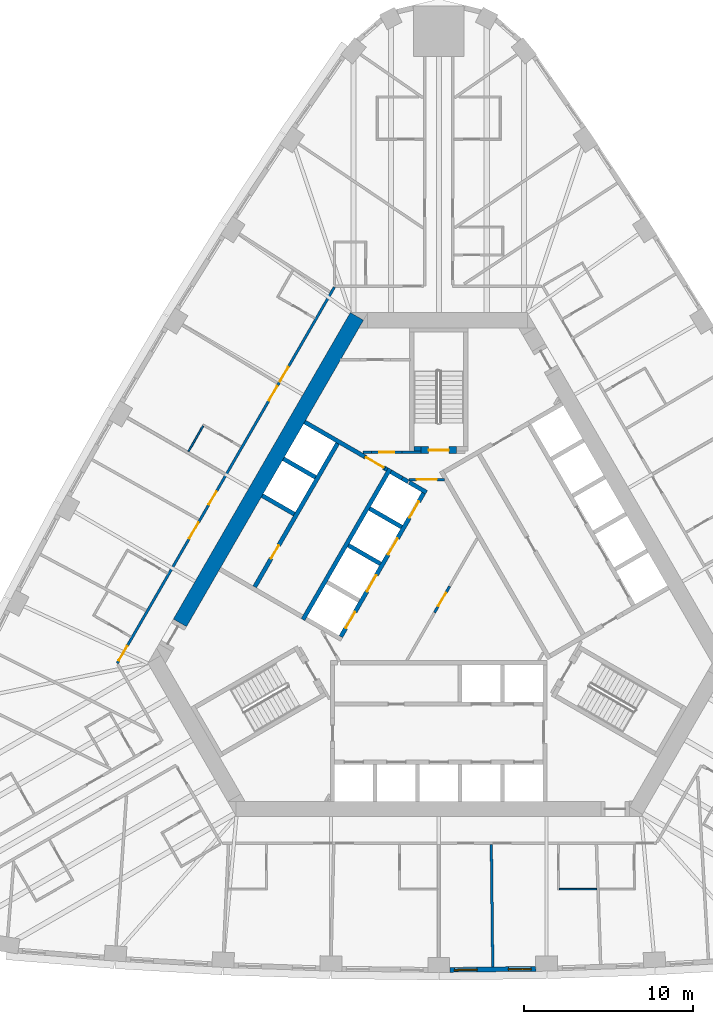
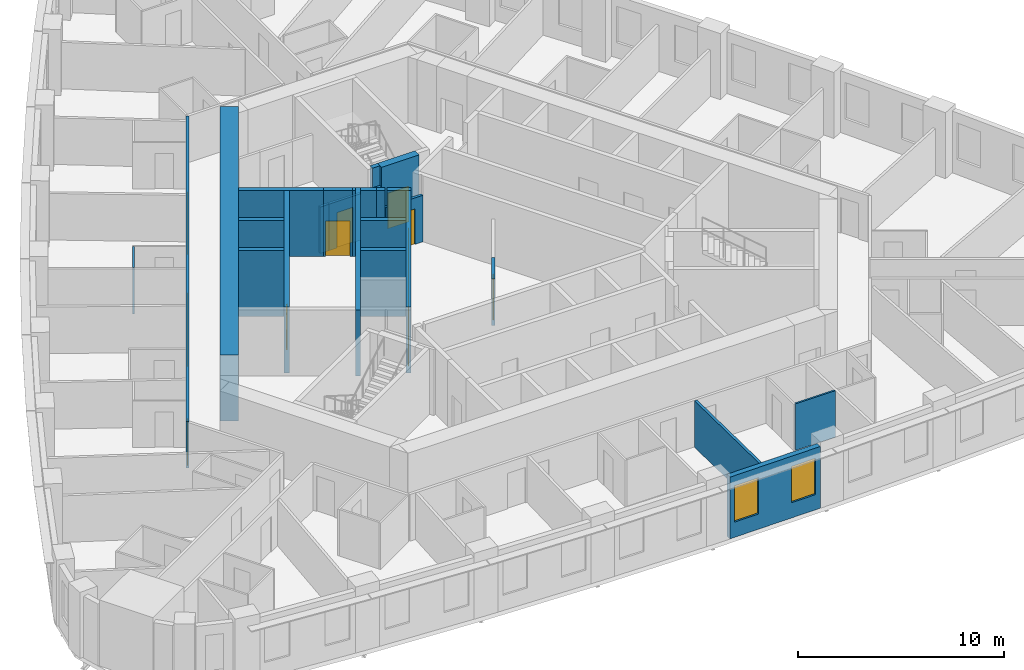
# One storey, part 6 of 13: 26 walls, 15 doors, 2 windows, 17 openings.
"""IFC4 building model written with IfcOpenShell, lengths in metres."""

from ifc_helpers import new_model, si_unit, direction, frame, frame_2d, origin, place, context, subcontext, project, spatial, polyline, rectangle, outline, extrude, material, layer, layer_set, type_object, element, fill, save


model = new_model("IFC4")

# Units and contexts
model_context = context("Model", 3, precision=1e-05, world=origin(), true_north=direction((0.0, 1.0)))
body_context = subcontext(model_context, "Body", "Model", "MODEL_VIEW")
ifc_project = project(units=[si_unit("LENGTHUNIT", "METRE"), si_unit("AREAUNIT", "SQUARE_METRE"), si_unit("VOLUMEUNIT", "CUBIC_METRE"), si_unit("PLANEANGLEUNIT", "RADIAN"), si_unit("MASSUNIT", "GRAM", prefix="KILO")], contexts=[model_context])

# Site, building, storey
site_placement = place(None, origin())
site = spatial("IfcSite", under=ifc_project, at=site_placement, CompositionType="ELEMENT")
building_placement = place(site_placement, origin())
building = spatial("IfcBuilding", under=site, at=building_placement, Name="Mestral Congress Tower", CompositionType="ELEMENT")
storey_placement = place(building_placement, frame((0.0, 0.0, 83.699951171875)))
storey = spatial("IfcBuildingStorey", under=building, at=storey_placement, Name="L19", CompositionType="ELEMENT", Elevation=83.699951171875)

# Walls
ifc_material_1 = material(Name="Fire-rated board partition")
ifc_layer_1 = layer(ifc_material_1, 0.14990234375)
ifc_layer_set_1 = layer_set([ifc_layer_1], Name="Fire-rated board partition")
wall_type_1 = type_object("IfcWallType", Name="Core partition 150", PredefinedType="PARTITIONING", material=ifc_layer_set_1)
wall_1_placement = place(storey_placement, frame((-3.99658203125, 8.625244140625, 0.0), z_axis=(0.0, 0.0, 1.0), x_axis=(-1.0, 0.0, 0.0)))
element("IfcWall", 1, at=wall_1_placement, inside=storey, type_object=wall_type_1, Name="L19 core wall", PredefinedType="PARTITIONING", context=body_context, shape_type="SweptSolid", body=[
    extrude(rectangle(XDim=0.502197265625, YDim=0.14990234375, at=frame_2d((0.2509765625, 0.0))), origin(), (0.0, 0.0, 1.0), 2.75),
])
wall_2_placement = place(storey_placement, frame((-2.1962890625, 8.62548828125, 0.0), z_axis=(0.0, 0.0, 1.0), x_axis=(1.0, 0.0, 0.0)))
element("IfcWall", 2, at=wall_2_placement, inside=storey, type_object=wall_type_1, Name="L19 core wall", PredefinedType="PARTITIONING", context=body_context, shape_type="SweptSolid", body=[
    extrude(rectangle(XDim=1.146240234375, YDim=0.14990234375, at=frame_2d((0.5732421875, 0.0))), origin(), (0.0, 0.0, 1.0), 2.75),
])

# Wall, opening, door
wall_3_placement = place(storey_placement, frame((-2.1962890625, 8.625, 0.0), z_axis=(0.0, 0.0, 1.0), x_axis=(-1.0, 0.0, 0.0)))
wall_3 = element("IfcWall", 3, at=wall_3_placement, inside=storey, type_object=wall_type_1, Name="L19 door wall", PredefinedType="PARTITIONING", context=body_context, shape_type="SweptSolid", body=[
    extrude(rectangle(XDim=1.800048828125, YDim=0.14990234375, at=frame_2d((0.89990234375, 0.0))), origin(), (0.0, 0.0, 1.0), 2.75),
])
opening_1_placement = place(wall_3_placement, frame((0.449951171875, 0.0, 0.0)))
opening_1 = element("IfcOpeningElement", 4, at=opening_1_placement, cuts=wall_3, Name="Opening TD2", PredefinedType="OPENING", context=body_context, shape_type="SweptSolid", body=[
    extrude(rectangle(XDim=0.89990234375, YDim=2.10009765625, at=frame_2d((0.449951171875, 1.050048828125))), frame((0.0, 0.0849609375, 0.0), z_axis=(0.0, -1.0, 0.0), x_axis=(1.0, 0.0, 0.0)), (0.0, 0.0, 1.0), 0.169921875),
])
ifc_material_2 = material(Name="Fire-rated steel door set", Category="steel")
door_type_1 = type_object("IfcDoorType", Name="Core door SR 900x2100", OperationType="SINGLE_SWING_LEFT", PredefinedType="DOOR", material=ifc_material_2)
door_1_placement = place(opening_1_placement, origin())
door_1 = element("IfcDoor", 5, at=door_1_placement, inside=storey, type_object=door_type_1, Name="Door TD2", OperationType="SINGLE_SWING_LEFT", OverallHeight=2.10009765625, OverallWidth=0.89990234375, PredefinedType="DOOR", context=body_context, shape_type="SweptSolid", body=[
    extrude(rectangle(XDim=0.89990234375, YDim=2.10009765625, at=frame_2d((0.449951171875, 1.050048828125))), frame((0.0, 0.02490234375, 0.0), z_axis=(0.0, -1.0, 0.0), x_axis=(1.0, 0.0, 0.0)), (0.0, 0.0, 1.0), 0.050048828125),
])
fill(opening_1, door_1)

wall_4_placement = place(storey_placement, frame((-1.765380859375, 7.0, 0.0), z_axis=(0.0, 0.0, 1.0), x_axis=(1.0, 0.0, 0.0)))
wall_4 = element("IfcWall", 6, at=wall_4_placement, inside=storey, type_object=wall_type_1, Name="L19 door wall", PredefinedType="PARTITIONING", context=body_context, shape_type="SweptSolid", body=[
    extrude(rectangle(XDim=2.10009765625, YDim=0.14990234375, at=frame_2d((1.050048828125, 0.0))), origin(), (0.0, 0.0, 1.0), 2.75),
])
opening_2_placement = place(wall_4_placement, frame((0.449951171875, 0.0, 0.0)))
opening_2 = element("IfcOpeningElement", 7, at=opening_2_placement, cuts=wall_4, Name="Opening CD2-FF", PredefinedType="OPENING", context=body_context, shape_type="SweptSolid", body=[
    extrude(rectangle(XDim=1.199951171875, YDim=2.10009765625, at=frame_2d((0.60009765625, 1.050048828125))), frame((0.0, 0.0849609375, 0.0), z_axis=(0.0, -1.0, 0.0), x_axis=(1.0, 0.0, 0.0)), (0.0, 0.0, 1.0), 0.169921875),
])
door_type_2 = type_object("IfcDoorType", Name="Core door CD 1200x2100", OperationType="SINGLE_SWING_LEFT", PredefinedType="DOOR", material=ifc_material_2)
door_2_placement = place(opening_2_placement, origin())
door_2 = element("IfcDoor", 8, at=door_2_placement, inside=storey, type_object=door_type_2, Name="Door CD2-FF", OperationType="SINGLE_SWING_LEFT", OverallHeight=2.10009765625, OverallWidth=1.199951171875, PredefinedType="DOOR", context=body_context, shape_type="SweptSolid", body=[
    extrude(rectangle(XDim=1.199951171875, YDim=2.10009765625, at=frame_2d((0.60009765625, 1.050048828125))), frame((0.0, 0.02490234375, 0.0), z_axis=(0.0, -1.0, 0.0), x_axis=(1.0, 0.0, 0.0)), (0.0, 0.0, 1.0), 0.050048828125),
])
fill(opening_2, door_2)

wall_5_placement = place(storey_placement, frame((-0.255126953125, -0.891845703125, 0.0), z_axis=(0.0, 0.0, 1.0), x_axis=(0.500062916607, 0.865989075817, 0.0)))
wall_5 = element("IfcWall", 9, at=wall_5_placement, inside=storey, type_object=wall_type_1, Name="L19 door wall", PredefinedType="PARTITIONING", context=body_context, shape_type="SweptSolid", body=[
    extrude(rectangle(XDim=1.800048828125, YDim=0.14990234375, at=frame_2d((0.89990234375, 0.0))), origin(), (0.0, 0.0, 1.0), 2.75),
])
opening_3_placement = place(wall_5_placement, frame((0.449951171875, 0.0, 0.0)))
opening_3 = element("IfcOpeningElement", 10, at=opening_3_placement, cuts=wall_5, Name="Opening SD-HUB0", PredefinedType="OPENING", context=body_context, shape_type="SweptSolid", body=[
    extrude(rectangle(XDim=0.89990234375, YDim=2.10009765625, at=frame_2d((0.449951171875, 1.050048828125))), frame((0.0, 0.0849609375, 0.0), z_axis=(0.0, -1.0, 0.0), x_axis=(1.0, 0.0, 0.0)), (0.0, 0.0, 1.0), 0.169921875),
])
door_3_placement = place(opening_3_placement, origin())
door_3 = element("IfcDoor", 11, at=door_3_placement, inside=storey, type_object=door_type_1, Name="Door SD-HUB0", OperationType="SINGLE_SWING_LEFT", OverallHeight=2.10009765625, OverallWidth=0.89990234375, PredefinedType="DOOR", context=body_context, shape_type="SweptSolid", body=[
    extrude(rectangle(XDim=0.89990234375, YDim=2.10009765625, at=frame_2d((0.449951171875, 1.050048828125))), frame((0.0, 0.02490234375, 0.0), z_axis=(0.0, -1.0, 0.0), x_axis=(1.0, 0.0, 0.0)), (0.0, 0.0, 1.0), 0.050048828125),
])
fill(opening_3, door_3)

# Wall
ifc_material_3 = material(Name="Concrete C60/75", Category="concrete")
ifc_layer_2 = layer(ifc_material_3, 0.89990234375)
ifc_layer_set_2 = layer_set([ifc_layer_2], Name="Concrete C60/75")
wall_type_2 = type_object("IfcWallType", Name="Core wall RC 900", PredefinedType="SOLIDWALL", material=ifc_layer_set_2)
wall_6_placement = place(storey_placement, frame((-15.359619140625, -1.50341796875, 0.0), z_axis=(0.0, 0.0, 1.0), x_axis=(0.50000389221, 0.866023156604, 0.0)))
element("IfcWall", 12, at=wall_6_placement, inside=storey, type_object=wall_type_2, Name="L19 core wall", PredefinedType="SOLIDWALL", context=body_context, shape_type="SweptSolid", body=[
    extrude(rectangle(XDim=21.000244140625, YDim=0.89990234375, at=frame_2d((10.5, 0.0))), origin(), (0.0, 0.0, 1.0), 3.900146484375),
])

# Wall, openings, windows
ifc_material_4 = material(Name="Precast concrete C40/50 with limestone facing", Category="masonry")
ifc_layer_3 = layer(ifc_material_4, 0.2900390625)
ifc_layer_set_3 = layer_set([ifc_layer_3], Name="Precast concrete C40/50 with limestone facing")
wall_type_3 = type_object("IfcWallType", Name="Facade stone wall 290", PredefinedType="SOLIDWALL", material=ifc_layer_set_3)
wall_7_placement = place(storey_placement, frame((0.6533203125, -22.091064453125, 0.0), z_axis=(0.0, 0.0, 1.0), x_axis=(0.999931786565, 0.011679992145, 0.0)))
wall_7 = element("IfcWall", 13, at=wall_7_placement, inside=storey, type_object=wall_type_3, Name="Facade wall F0-04", PredefinedType="SOLIDWALL", context=body_context, shape_type="SweptSolid", body=[
    extrude(rectangle(XDim=5.10009765625, YDim=0.2900390625, at=frame_2d((2.550048828125, 0.0))), origin(), (0.0, 0.0, 1.0), 3.650146484375),
])
opening_4_placement = place(wall_7_placement, frame((0.272705078125, 0.0, 0.89990234375)))
opening_4 = element("IfcOpeningElement", 14, at=opening_4_placement, cuts=wall_7, Name="Opening W2", PredefinedType="OPENING", context=body_context, shape_type="SweptSolid", body=[
    extrude(rectangle(XDim=1.35009765625, YDim=2.14990234375, at=frame_2d((0.675048828125, 1.074951171875))), frame((0.0, 0.155029296875, 0.0), z_axis=(0.0, -1.0, 0.0), x_axis=(1.0, 0.0, 0.0)), (0.0, 0.0, 1.0), 0.31005859375),
])
opening_5_placement = place(wall_7_placement, frame((3.477783203125, 0.0, 0.89990234375)))
opening_5 = element("IfcOpeningElement", 15, at=opening_5_placement, cuts=wall_7, Name="Opening W2", PredefinedType="OPENING", context=body_context, shape_type="SweptSolid", body=[
    extrude(rectangle(XDim=1.35009765625, YDim=2.14990234375, at=frame_2d((0.675048828125, 1.074951171875))), frame((0.0, 0.155029296875, 0.0), z_axis=(0.0, -1.0, 0.0), x_axis=(1.0, 0.0, 0.0)), (0.0, 0.0, 1.0), 0.31005859375),
])
ifc_material_5 = material(Name="Clear low-emissivity double glazing", Category="glass")
window_type = type_object("IfcWindowType", Name="Facade punched window 1350 x 2150 sill 900", PartitioningType="DOUBLE_PANEL_VERTICAL", PredefinedType="WINDOW", material=ifc_material_5)
window_1_placement = place(opening_4_placement, origin())
window_1 = element("IfcWindow", 16, at=window_1_placement, inside=storey, type_object=window_type, Name="Window F0-04a", OverallHeight=2.14990234375, OverallWidth=1.35009765625, PartitioningType="DOUBLE_PANEL_VERTICAL", PredefinedType="WINDOW", context=body_context, shape_type="SweptSolid", body=[
    extrude(rectangle(XDim=1.35009765625, YDim=2.14990234375, at=frame_2d((0.675048828125, 1.074951171875))), frame((0.0, 0.01513671875, 0.0), z_axis=(0.0, -1.0, 0.0), x_axis=(1.0, 0.0, 0.0)), (0.0, 0.0, 1.0), 0.06005859375),
])
fill(opening_4, window_1)
window_2_placement = place(opening_5_placement, origin())
window_2 = element("IfcWindow", 17, at=window_2_placement, inside=storey, type_object=window_type, Name="Window F0-04b", OverallHeight=2.14990234375, OverallWidth=1.35009765625, PartitioningType="DOUBLE_PANEL_VERTICAL", PredefinedType="WINDOW", context=body_context, shape_type="SweptSolid", body=[
    extrude(rectangle(XDim=1.35009765625, YDim=2.14990234375, at=frame_2d((0.675048828125, 1.074951171875))), frame((0.0, 0.01513671875, 0.0), z_axis=(0.0, -1.0, 0.0), x_axis=(1.0, 0.0, 0.0)), (0.0, 0.0, 1.0), 0.06005859375),
])
fill(opening_5, window_2)

# Walls
ifc_material_6 = material(Name="Gypsum board partition on metal studs with mineral wool", Category="composite")
ifc_layer_4 = layer(ifc_material_6, 0.10009765625)
ifc_layer_set_4 = layer_set([ifc_layer_4], Name="Gypsum board partition on metal studs with mineral wool")
wall_type_4 = type_object("IfcWallType", Name="Hotel partition wall 100", PredefinedType="PARTITIONING", material=ifc_layer_set_4)
wall_8_placement = place(storey_placement, frame((7.150390625, -17.300048828125, 0.0), z_axis=(0.0, 0.0, 1.0), x_axis=(1.0, 0.0, 0.0)))
element("IfcWall", 18, at=wall_8_placement, inside=storey, type_object=wall_type_4, Name="L19-h-pod06b", PredefinedType="PARTITIONING", context=body_context, shape_type="SweptSolid", body=[
    extrude(rectangle(XDim=2.219970703125, YDim=0.10009765625, at=frame_2d((1.10986328125, 0.0))), origin(), (0.0, 0.0, 1.0), 2.75),
])
wall_9_placement = place(storey_placement, frame((-13.982666015625, 10.18115234375, 0.0), z_axis=(0.0, 0.0, 1.0), x_axis=(-0.499980071345, -0.866036909293, 0.0)))
element("IfcWall", 19, at=wall_9_placement, inside=storey, type_object=wall_type_4, Name="L19-h-pod22b", PredefinedType="PARTITIONING", context=body_context, shape_type="SweptSolid", body=[
    extrude(rectangle(XDim=1.75, YDim=0.10009765625, at=frame_2d((0.875, 0.0))), origin(), (0.0, 0.0, 1.0), 2.75),
])

# Wall, openings, doors
ifc_layer_5 = layer(ifc_material_6, 0.14990234375)
ifc_layer_set_5 = layer_set([ifc_layer_5], Name="Gypsum board partition on metal studs with mineral wool")
wall_type_5 = type_object("IfcWallType", Name="Hotel partition wall 150", PredefinedType="PARTITIONING", material=ifc_layer_set_5)
wall_10_placement = place(storey_placement, frame((-19.081298828125, -3.89990234375, 0.0), z_axis=(0.0, 0.0, 1.0), x_axis=(0.499998313975, 0.866026377209, 0.0)))
wall_10 = element("IfcWall", 20, at=wall_10_placement, inside=storey, type_object=wall_type_5, Name="L19-h-cw08", PredefinedType="PARTITIONING", context=body_context, shape_type="SweptSolid", body=[
    extrude(rectangle(XDim=25.76611328125, YDim=0.14990234375, at=frame_2d((12.883056640625, 0.0))), origin(), (0.0, 0.0, 1.0), 2.75),
])
opening_6_placement = place(wall_10_placement, frame((19.30615234375, 0.0, 0.0)))
opening_6 = element("IfcOpeningElement", 21, at=opening_6_placement, cuts=wall_10, Name="Opening H06-039", PredefinedType="OPENING", context=body_context, shape_type="SweptSolid", body=[
    extrude(rectangle(XDim=1.0, YDim=2.10009765625, at=frame_2d((0.5, 1.050048828125))), frame((0.0, 0.0849609375, 0.0), z_axis=(0.0, -1.0, 0.0), x_axis=(1.0, 0.0, 0.0)), (0.0, 0.0, 1.0), 0.169921875),
])
opening_7_placement = place(wall_10_placement, frame((17.99951171875, 0.0, 0.0)))
opening_7 = element("IfcOpeningElement", 22, at=opening_7_placement, cuts=wall_10, Name="Opening H06-041", PredefinedType="OPENING", context=body_context, shape_type="SweptSolid", body=[
    extrude(rectangle(XDim=1.0, YDim=2.10009765625, at=frame_2d((0.5, 1.050048828125))), frame((0.0, 0.0849609375, 0.0), z_axis=(0.0, -1.0, 0.0), x_axis=(1.0, 0.0, 0.0)), (0.0, 0.0, 1.0), 0.169921875),
])
opening_8_placement = place(wall_10_placement, frame((10.874267578125, 0.0, 0.0)))
opening_8 = element("IfcOpeningElement", 23, at=opening_8_placement, cuts=wall_10, Name="Opening H06-043", PredefinedType="OPENING", context=body_context, shape_type="SweptSolid", body=[
    extrude(rectangle(XDim=0.89990234375, YDim=2.10009765625, at=frame_2d((0.449951171875, 1.050048828125))), frame((0.0, 0.0849609375, 0.0), z_axis=(0.0, -1.0, 0.0), x_axis=(1.0, 0.0, 0.0)), (0.0, 0.0, 1.0), 0.169921875),
])
opening_9_placement = place(wall_10_placement, frame((8.547607421875, 0.0, 0.0)))
opening_9 = element("IfcOpeningElement", 24, at=opening_9_placement, cuts=wall_10, Name="Opening H06-044", PredefinedType="OPENING", context=body_context, shape_type="SweptSolid", body=[
    extrude(rectangle(XDim=1.10009765625, YDim=2.10009765625, at=frame_2d((0.550048828125, 1.050048828125))), frame((0.0, 0.0849609375, 0.0), z_axis=(0.0, -1.0, 0.0), x_axis=(1.0, 0.0, 0.0)), (0.0, 0.0, 1.0), 0.169921875),
])
opening_10_placement = place(wall_10_placement, frame((0.179931640625, 0.0, 0.0)))
opening_10 = element("IfcOpeningElement", 25, at=opening_10_placement, cuts=wall_10, Name="Opening H06-046", PredefinedType="OPENING", context=body_context, shape_type="SweptSolid", body=[
    extrude(rectangle(XDim=1.0, YDim=2.10009765625, at=frame_2d((0.5, 1.050048828125))), frame((0.0, 0.0849609375, 0.0), z_axis=(0.0, -1.0, 0.0), x_axis=(1.0, 0.0, 0.0)), (0.0, 0.0, 1.0), 0.169921875),
])
ifc_material_7 = material(Name="Timber veneer door leaf in metal frame", Category="wood")
door_type_3 = type_object("IfcDoorType", Name="Accessible room entrance door 1100", OperationType="SINGLE_SWING_LEFT", PredefinedType="DOOR", material=ifc_material_7)
door_4_placement = place(opening_9_placement, origin())
door_4 = element("IfcDoor", 26, at=door_4_placement, inside=storey, type_object=door_type_3, Name="L19-h-d044", OperationType="SINGLE_SWING_RIGHT", OverallHeight=2.10009765625, OverallWidth=1.10009765625, PredefinedType="DOOR", context=body_context, shape_type="SweptSolid", body=[
    extrude(rectangle(XDim=1.10009765625, YDim=2.10009765625, at=frame_2d((0.550048828125, 1.050048828125))), frame((0.0, 0.02490234375, 0.0), z_axis=(0.0, -1.0, 0.0), x_axis=(1.0, 0.0, 0.0)), (0.0, 0.0, 1.0), 0.050048828125),
])
fill(opening_9, door_4)
door_type_4 = type_object("IfcDoorType", Name="Guest room entrance door 1000", OperationType="SINGLE_SWING_LEFT", PredefinedType="DOOR", material=ifc_material_7)
door_5_placement = place(opening_6_placement, origin())
door_5 = element("IfcDoor", 27, at=door_5_placement, inside=storey, type_object=door_type_4, Name="L19-h-d039", OperationType="SINGLE_SWING_LEFT", OverallHeight=2.10009765625, OverallWidth=1.0, PredefinedType="DOOR", context=body_context, shape_type="SweptSolid", body=[
    extrude(rectangle(XDim=1.0, YDim=2.10009765625, at=frame_2d((0.5, 1.050048828125))), frame((0.0, 0.02490234375, 0.0), z_axis=(0.0, -1.0, 0.0), x_axis=(1.0, 0.0, 0.0)), (0.0, 0.0, 1.0), 0.050048828125),
])
fill(opening_6, door_5)
door_6_placement = place(opening_7_placement, origin())
door_6 = element("IfcDoor", 28, at=door_6_placement, inside=storey, type_object=door_type_4, Name="L19-h-d041", OperationType="SINGLE_SWING_RIGHT", OverallHeight=2.10009765625, OverallWidth=1.0, PredefinedType="DOOR", context=body_context, shape_type="SweptSolid", body=[
    extrude(rectangle(XDim=1.0, YDim=2.10009765625, at=frame_2d((0.5, 1.050048828125))), frame((0.0, 0.02490234375, 0.0), z_axis=(0.0, -1.0, 0.0), x_axis=(1.0, 0.0, 0.0)), (0.0, 0.0, 1.0), 0.050048828125),
])
fill(opening_7, door_6)
door_7_placement = place(opening_10_placement, origin())
door_7 = element("IfcDoor", 29, at=door_7_placement, inside=storey, type_object=door_type_4, Name="L19-h-d046", OperationType="SINGLE_SWING_LEFT", OverallHeight=2.10009765625, OverallWidth=1.0, PredefinedType="DOOR", context=body_context, shape_type="SweptSolid", body=[
    extrude(rectangle(XDim=1.0, YDim=2.10009765625, at=frame_2d((0.5, 1.050048828125))), frame((0.0, 0.02490234375, 0.0), z_axis=(0.0, -1.0, 0.0), x_axis=(1.0, 0.0, 0.0)), (0.0, 0.0, 1.0), 0.050048828125),
])
fill(opening_10, door_7)
door_type_5 = type_object("IfcDoorType", Name="Service room door 900", OperationType="SINGLE_SWING_LEFT", PredefinedType="DOOR", material=ifc_material_7)
door_8_placement = place(opening_8_placement, origin())
door_8 = element("IfcDoor", 30, at=door_8_placement, inside=storey, type_object=door_type_5, Name="L19-h-d043", OperationType="SINGLE_SWING_LEFT", OverallHeight=2.10009765625, OverallWidth=0.89990234375, PredefinedType="DOOR", context=body_context, shape_type="SweptSolid", body=[
    extrude(rectangle(XDim=0.89990234375, YDim=2.10009765625, at=frame_2d((0.449951171875, 1.050048828125))), frame((0.0, 0.02490234375, 0.0), z_axis=(0.0, -1.0, 0.0), x_axis=(1.0, 0.0, 0.0)), (0.0, 0.0, 1.0), 0.050048828125),
])
fill(opening_8, door_8)

# Walls
wall_11_placement = place(storey_placement, frame((3.20166015625, -21.916259765625, 0.0), z_axis=(0.0, 0.0, 1.0), x_axis=(-0.011707696285, 0.999931462575, 0.0)))
element("IfcWall", 31, at=wall_11_placement, inside=storey, type_object=wall_type_5, Name="L19-h-pw18", PredefinedType="PARTITIONING", context=body_context, shape_type="SweptSolid", body=[
    extrude(rectangle(XDim=7.2568359375, YDim=0.14990234375, at=frame_2d((3.62841796875, 0.0))), origin(), (0.0, 0.0, 1.0), 2.75),
])
ifc_layer_6 = layer(ifc_material_3, 0.25)
ifc_layer_set_6 = layer_set([ifc_layer_6], Name="Concrete C60/75")
wall_type_6 = type_object("IfcWallType", Name="Shaft wall RC 250", PredefinedType="SOLIDWALL", material=ifc_layer_set_6)
wall_12_placement = place(storey_placement, frame((-8.06005859375, -1.310546875, 0.0), z_axis=(0.0, 0.0, 1.0), x_axis=(0.50000273126, 0.866023826885, 0.0)))
element("IfcWall", 32, at=wall_12_placement, inside=storey, type_object=wall_type_6, Name="L19 core wall", PredefinedType="SOLIDWALL", context=body_context, shape_type="SweptSolid", body=[
    extrude(rectangle(XDim=10.330078125, YDim=0.25, at=frame_2d((5.1650390625, 0.0))), origin(), (0.0, 0.0, 1.0), 3.900146484375),
])
wall_13_placement = place(storey_placement, frame((-1.818603515625, 6.869873046875, 0.0), z_axis=(0.0, 0.0, 1.0), x_axis=(-0.866294599386, 0.499533449405, 0.0)))
element("IfcWall", 33, at=wall_13_placement, inside=storey, type_object=wall_type_6, Name="L19 core wall", PredefinedType="SOLIDWALL", context=body_context, shape_type="SweptSolid", body=[
    extrude(rectangle(XDim=0.41015625, YDim=0.25, at=frame_2d((0.205078125, 0.0))), origin(), (0.0, 0.0, 1.0), 3.900146484375),
])
wall_14_placement = place(storey_placement, frame((-2.849365234375, 7.46484375, 0.0), z_axis=(0.0, 0.0, 1.0), x_axis=(0.865955664968, -0.500120771724, 0.0)))
element("IfcWall", 34, at=wall_14_placement, inside=storey, type_object=wall_type_6, Name="L19 core wall", PredefinedType="SOLIDWALL", context=body_context, shape_type="SweptSolid", body=[
    extrude(rectangle(XDim=0.778076171875, YDim=0.25, at=frame_2d((0.38916015625, 0.0))), origin(), (0.0, 0.0, 1.0), 3.900146484375),
])
wall_15_placement = place(storey_placement, frame((-0.7275390625, 6.23974609375, 0.0), z_axis=(0.0, 0.0, 1.0), x_axis=(-0.866002680491, 0.500039355833, 0.0)))
element("IfcWall", 35, at=wall_15_placement, inside=storey, type_object=wall_type_6, Name="L19 core wall", PredefinedType="SOLIDWALL", context=body_context, shape_type="SweptSolid", body=[
    extrude(rectangle(XDim=1.17822265625, YDim=0.25, at=frame_2d((0.589111328125, 0.0))), origin(), (0.0, 0.0, 1.0), 3.900146484375),
])
for number, where, z_axis, x_axis, name in (
    (36, (-2.2041015625, 4.182373046875, 0.0), (0.0, 0.0, 1.0), (-0.866008176907, 0.50002983664, 0.0), "L19 core wall"),
    (37, (-5.369384765625, 3.10009765625, 0.0), (0.0, 0.0, 1.0), (0.866008176907, -0.50002983664, 0.0), "L19 core wall"),
):
    element("IfcWall", number, at=place(storey_placement, frame(where, z_axis=z_axis, x_axis=x_axis)), inside=storey, type_object=wall_type_6, Name=name, PredefinedType="SOLIDWALL", context=body_context, shape_type="SweptSolid", body=[
        extrude(rectangle(XDim=2.199951171875, YDim=0.25, at=frame_2d((1.10009765625, 0.0))), origin(), (0.0, 0.0, 1.0), 3.900146484375),
    ])
wall_16_placement = place(storey_placement, origin())
element("IfcWall", 38, at=wall_16_placement, inside=storey, type_object=wall_type_6, Name="L19 core wall", PredefinedType="SOLIDWALL", context=body_context, shape_type="SweptSolid", body=[
    extrude(outline(polyline([(-3.12841796875, 7.4814453125), (-3.2587890625, 7.556640625), (-3.1337890625, 7.773193359375), (-3.00341796875, 7.697998046875), (-3.12841796875, 7.4814453125)])), origin(), (0.0, 0.0, 1.0), 3.900146484375),
])
for number, where, z_axis, x_axis, name in (
    (39, (-8.57373046875, 4.949951171875, 0.0), (0.0, 0.0, 1.0), (-0.866008176907, 0.50002983664, 0.0), "L19 core wall"),
    (40, (-7.313720703125, 7.13232421875, 0.0), (0.0, 0.0, 1.0), (-0.866008176907, 0.50002983664, 0.0), "L19 core wall"),
):
    element("IfcWall", number, at=place(storey_placement, frame(where, z_axis=z_axis, x_axis=x_axis)), inside=storey, type_object=wall_type_6, Name=name, PredefinedType="SOLIDWALL", context=body_context, shape_type="SweptSolid", body=[
        extrude(rectangle(XDim=2.199951171875, YDim=0.25, at=frame_2d((1.10009765625, 0.0))), origin(), (0.0, 0.0, 1.0), 3.900146484375),
    ])
wall_17_placement = place(storey_placement, frame((-7.958984375, 10.414794921875, 0.0), z_axis=(0.0, 0.0, 1.0), x_axis=(0.866020958405, -0.500007699544, 0.0)))
element("IfcWall", 41, at=wall_17_placement, inside=storey, type_object=wall_type_6, Name="L19 core wall", PredefinedType="SOLIDWALL", context=body_context, shape_type="SweptSolid", body=[
    extrude(rectangle(XDim=4.099609375, YDim=0.25, at=frame_2d((2.0498046875, 0.0))), origin(), (0.0, 0.0, 1.0), 3.900146484375),
])

# Wall, opening, door
wall_18_placement = place(storey_placement, frame((-6.0078125, 9.14404296875, 0.0), z_axis=(0.0, 0.0, 1.0), x_axis=(-0.500006956611, -0.866021387346, 0.0)))
wall_18 = element("IfcWall", 42, at=wall_18_placement, inside=storey, type_object=wall_type_6, Name="L19 door wall", PredefinedType="SOLIDWALL", context=body_context, shape_type="SweptSolid", body=[
    extrude(rectangle(XDim=9.829833984375, YDim=0.25, at=frame_2d((4.9150390625, 0.0))), origin(), (0.0, 0.0, 1.0), 3.900146484375),
])
opening_11_placement = place(wall_18_placement, frame((6.985107421875, 0.0, 0.0)))
opening_11 = element("IfcOpeningElement", 43, at=opening_11_placement, cuts=wall_18, Name="Opening SR-NWA2", PredefinedType="OPENING", context=body_context, shape_type="SweptSolid", body=[
    extrude(rectangle(XDim=0.89990234375, YDim=2.10009765625, at=frame_2d((0.449951171875, 1.050048828125))), frame((0.0, 0.135009765625, 0.0), z_axis=(0.0, -1.0, 0.0), x_axis=(1.0, 0.0, 0.0)), (0.0, 0.0, 1.0), 0.27001953125),
])
door_9_placement = place(opening_11_placement, origin())
door_9 = element("IfcDoor", 44, at=door_9_placement, inside=storey, type_object=door_type_1, Name="Door SR-NWA2", OperationType="SINGLE_SWING_LEFT", OverallHeight=2.10009765625, OverallWidth=0.89990234375, PredefinedType="DOOR", context=body_context, shape_type="SweptSolid", body=[
    extrude(rectangle(XDim=0.89990234375, YDim=2.10009765625, at=frame_2d((0.449951171875, 1.050048828125))), frame((0.0, 0.02490234375, 0.0), z_axis=(0.0, -1.0, 0.0), x_axis=(1.0, 0.0, 0.0)), (0.0, 0.0, 1.0), 0.050048828125),
])
fill(opening_11, door_9)

# Wall, openings, doors
wall_19_placement = place(storey_placement, frame((-0.898193359375, 6.194091796875, 0.0), z_axis=(0.0, 0.0, 1.0), x_axis=(-0.499996202215, -0.866027596426, 0.0)))
wall_19 = element("IfcWall", 45, at=wall_19_placement, inside=storey, type_object=wall_type_6, Name="L19 door wall", PredefinedType="SOLIDWALL", context=body_context, shape_type="SweptSolid", body=[
    extrude(rectangle(XDim=9.830078125, YDim=0.25, at=frame_2d((4.9150390625, 0.0))), origin(), (0.0, 0.0, 1.0), 3.900146484375),
])
opening_12_placement = place(wall_19_placement, frame((0.5849609375, 0.0, 0.0)))
opening_12 = element("IfcOpeningElement", 46, at=opening_12_placement, cuts=wall_19, Name="Opening LD-NWB1", PredefinedType="OPENING", context=body_context, shape_type="SweptSolid", body=[
    extrude(rectangle(XDim=1.10009765625, YDim=2.10009765625, at=frame_2d((0.550048828125, 1.050048828125))), frame((0.0, 0.135009765625, 0.0), z_axis=(0.0, -1.0, 0.0), x_axis=(1.0, 0.0, 0.0)), (0.0, 0.0, 1.0), 0.27001953125),
])
opening_13_placement = place(wall_19_placement, frame((3.10498046875, 0.0, 0.0)))
opening_13 = element("IfcOpeningElement", 47, at=opening_13_placement, cuts=wall_19, Name="Opening LD-NWB2", PredefinedType="OPENING", context=body_context, shape_type="SweptSolid", body=[
    extrude(rectangle(XDim=1.10009765625, YDim=2.10009765625, at=frame_2d((0.550048828125, 1.050048828125))), frame((0.0, 0.135009765625, 0.0), z_axis=(0.0, -1.0, 0.0), x_axis=(1.0, 0.0, 0.0)), (0.0, 0.0, 1.0), 0.27001953125),
])
opening_14_placement = place(wall_19_placement, frame((5.625, 0.0, 0.0)))
opening_14 = element("IfcOpeningElement", 48, at=opening_14_placement, cuts=wall_19, Name="Opening LD-NWB3", PredefinedType="OPENING", context=body_context, shape_type="SweptSolid", body=[
    extrude(rectangle(XDim=1.10009765625, YDim=2.10009765625, at=frame_2d((0.550048828125, 1.050048828125))), frame((0.0, 0.135009765625, 0.0), z_axis=(0.0, -1.0, 0.0), x_axis=(1.0, 0.0, 0.0)), (0.0, 0.0, 1.0), 0.27001953125),
])
opening_15_placement = place(wall_19_placement, frame((8.14501953125, 0.0, 0.0)))
opening_15 = element("IfcOpeningElement", 49, at=opening_15_placement, cuts=wall_19, Name="Opening LD-NWB4", PredefinedType="OPENING", context=body_context, shape_type="SweptSolid", body=[
    extrude(rectangle(XDim=1.10009765625, YDim=2.10009765625, at=frame_2d((0.550048828125, 1.050048828125))), frame((0.0, 0.135009765625, 0.0), z_axis=(0.0, -1.0, 0.0), x_axis=(1.0, 0.0, 0.0)), (0.0, 0.0, 1.0), 0.27001953125),
])
door_type_6 = type_object("IfcDoorType", Name="Core door LD 1100x2100", OperationType="DOUBLE_DOOR_SLIDING", PredefinedType="DOOR", material=ifc_material_2)
door_10_placement = place(opening_12_placement, origin())
door_10 = element("IfcDoor", 50, at=door_10_placement, inside=storey, type_object=door_type_6, Name="Door LD-NWB1", OperationType="DOUBLE_DOOR_SLIDING", OverallHeight=2.10009765625, OverallWidth=1.10009765625, PredefinedType="DOOR", context=body_context, shape_type="SweptSolid", body=[
    extrude(rectangle(XDim=1.10009765625, YDim=2.10009765625, at=frame_2d((0.550048828125, 1.050048828125))), frame((0.0, 0.02490234375, 0.0), z_axis=(0.0, -1.0, 0.0), x_axis=(1.0, 0.0, 0.0)), (0.0, 0.0, 1.0), 0.050048828125),
])
fill(opening_12, door_10)
door_11_placement = place(opening_13_placement, origin())
door_11 = element("IfcDoor", 51, at=door_11_placement, inside=storey, type_object=door_type_6, Name="Door LD-NWB2", OperationType="DOUBLE_DOOR_SLIDING", OverallHeight=2.10009765625, OverallWidth=1.10009765625, PredefinedType="DOOR", context=body_context, shape_type="SweptSolid", body=[
    extrude(rectangle(XDim=1.10009765625, YDim=2.10009765625, at=frame_2d((0.550048828125, 1.050048828125))), frame((0.0, 0.02490234375, 0.0), z_axis=(0.0, -1.0, 0.0), x_axis=(1.0, 0.0, 0.0)), (0.0, 0.0, 1.0), 0.050048828125),
])
fill(opening_13, door_11)
door_12_placement = place(opening_14_placement, origin())
door_12 = element("IfcDoor", 52, at=door_12_placement, inside=storey, type_object=door_type_6, Name="Door LD-NWB3", OperationType="DOUBLE_DOOR_SLIDING", OverallHeight=2.10009765625, OverallWidth=1.10009765625, PredefinedType="DOOR", context=body_context, shape_type="SweptSolid", body=[
    extrude(rectangle(XDim=1.10009765625, YDim=2.10009765625, at=frame_2d((0.550048828125, 1.050048828125))), frame((0.0, 0.02490234375, 0.0), z_axis=(0.0, -1.0, 0.0), x_axis=(1.0, 0.0, 0.0)), (0.0, 0.0, 1.0), 0.050048828125),
])
fill(opening_14, door_12)
door_13_placement = place(opening_15_placement, origin())
door_13 = element("IfcDoor", 53, at=door_13_placement, inside=storey, type_object=door_type_6, Name="Door LD-NWB4", OperationType="DOUBLE_DOOR_SLIDING", OverallHeight=2.10009765625, OverallWidth=1.10009765625, PredefinedType="DOOR", context=body_context, shape_type="SweptSolid", body=[
    extrude(rectangle(XDim=1.10009765625, YDim=2.10009765625, at=frame_2d((0.550048828125, 1.050048828125))), frame((0.0, 0.02490234375, 0.0), z_axis=(0.0, -1.0, 0.0), x_axis=(1.0, 0.0, 0.0)), (0.0, 0.0, 1.0), 0.050048828125),
])
fill(opening_15, door_13)

# Wall, opening, door
wall_20_placement = place(storey_placement, frame((-4.40869140625, 8.364990234375, 0.0), z_axis=(0.0, 0.0, 1.0), x_axis=(0.866034573852, -0.49998411664, 0.0)))
wall_20 = element("IfcWall", 54, at=wall_20_placement, inside=storey, type_object=wall_type_6, Name="L19 door wall", PredefinedType="SOLIDWALL", context=body_context, shape_type="SweptSolid", body=[
    extrude(rectangle(XDim=1.39990234375, YDim=0.25, at=frame_2d((0.699951171875, 0.0))), origin(), (0.0, 0.0, 1.0), 3.900146484375),
])
opening_16_placement = place(wall_20_placement, frame((0.10009765625, 0.0, 0.0)))
opening_16 = element("IfcOpeningElement", 55, at=opening_16_placement, cuts=wall_20, Name="Opening LB2-WL2", PredefinedType="OPENING", context=body_context, shape_type="SweptSolid", body=[
    extrude(rectangle(XDim=1.199951171875, YDim=2.10009765625, at=frame_2d((0.60009765625, 1.050048828125))), frame((0.0, 0.135009765625, 0.0), z_axis=(0.0, -1.0, 0.0), x_axis=(1.0, 0.0, 0.0)), (0.0, 0.0, 1.0), 0.27001953125),
])
door_type_7 = type_object("IfcDoorType", Name="Core door LB 1200x2100", OperationType="SINGLE_SWING_LEFT", PredefinedType="DOOR", material=ifc_material_2)
door_14_placement = place(opening_16_placement, origin())
door_14 = element("IfcDoor", 56, at=door_14_placement, inside=storey, type_object=door_type_7, Name="Door LB2-WL2", OperationType="SINGLE_SWING_LEFT", OverallHeight=2.10009765625, OverallWidth=1.199951171875, PredefinedType="DOOR", context=body_context, shape_type="SweptSolid", body=[
    extrude(rectangle(XDim=1.199951171875, YDim=2.10009765625, at=frame_2d((0.60009765625, 1.050048828125))), frame((0.0, 0.02490234375, 0.0), z_axis=(0.0, -1.0, 0.0), x_axis=(1.0, 0.0, 0.0)), (0.0, 0.0, 1.0), 0.050048828125),
])
fill(opening_16, door_14)

# Wall
ifc_layer_7 = layer(ifc_material_3, 0.25)
ifc_layer_set_7 = layer_set([ifc_layer_7], Name="Concrete C60/75")
wall_type_7 = type_object("IfcWallType", Name="Stair wall RC 250", PredefinedType="SOLIDWALL", material=ifc_layer_set_7)
wall_21_placement = place(storey_placement, frame((-1.47509765625, 8.824951171875, 0.0), z_axis=(0.0, 0.0, 1.0), x_axis=(1.0, 0.0, 0.0)))
element("IfcWall", 57, at=wall_21_placement, inside=storey, type_object=wall_type_7, Name="L19 core wall", PredefinedType="SOLIDWALL", context=body_context, shape_type="SweptSolid", body=[
    extrude(rectangle(XDim=0.425048828125, YDim=0.25, at=frame_2d((0.21240234375, 0.0))), origin(), (0.0, 0.0, 1.0), 3.900146484375),
])

# Wall, opening, door
ifc_layer_8 = layer(ifc_material_3, 0.39990234375)
ifc_layer_set_8 = layer_set([ifc_layer_8], Name="Concrete C60/75")
wall_type_8 = type_object("IfcWallType", Name="Stair wall RC 250 door-wall 400", PredefinedType="SOLIDWALL", material=ifc_layer_set_8)
wall_22_placement = place(storey_placement, frame((1.050048828125, 8.75, 0.0), z_axis=(0.0, 0.0, 1.0), x_axis=(-1.0, 0.0, 0.0)))
wall_22 = element("IfcWall", 58, at=wall_22_placement, inside=storey, type_object=wall_type_8, Name="L19 door wall", PredefinedType="SOLIDWALL", context=body_context, shape_type="SweptSolid", body=[
    extrude(rectangle(XDim=2.10009765625, YDim=0.39990234375, at=frame_2d((1.050048828125, 0.0))), origin(), (0.0, 0.0, 1.0), 3.900146484375),
])
opening_17_placement = place(wall_22_placement, frame((0.449951171875, 0.0, 0.0)))
opening_17 = element("IfcOpeningElement", 59, at=opening_17_placement, cuts=wall_22, Name="Opening ST-D2", PredefinedType="OPENING", context=body_context, shape_type="SweptSolid", body=[
    extrude(rectangle(XDim=1.199951171875, YDim=2.10009765625, at=frame_2d((0.60009765625, 1.050048828125))), frame((0.0, 0.2099609375, 0.0), z_axis=(0.0, -1.0, 0.0), x_axis=(1.0, 0.0, 0.0)), (0.0, 0.0, 1.0), 0.419921875),
])
door_type_8 = type_object("IfcDoorType", Name="Core door ST 1200x2100", OperationType="SINGLE_SWING_LEFT", PredefinedType="DOOR", material=ifc_material_2)
door_15_placement = place(opening_17_placement, origin())
door_15 = element("IfcDoor", 60, at=door_15_placement, inside=storey, type_object=door_type_8, Name="Door ST-D2", OperationType="SINGLE_SWING_LEFT", OverallHeight=2.10009765625, OverallWidth=1.199951171875, PredefinedType="DOOR", context=body_context, shape_type="SweptSolid", body=[
    extrude(rectangle(XDim=1.199951171875, YDim=2.10009765625, at=frame_2d((0.60009765625, 1.050048828125))), frame((0.0, 0.02490234375, 0.0), z_axis=(0.0, -1.0, 0.0), x_axis=(1.0, 0.0, 0.0)), (0.0, 0.0, 1.0), 0.050048828125),
])
fill(opening_17, door_15)

save(model, "model.ifc")
